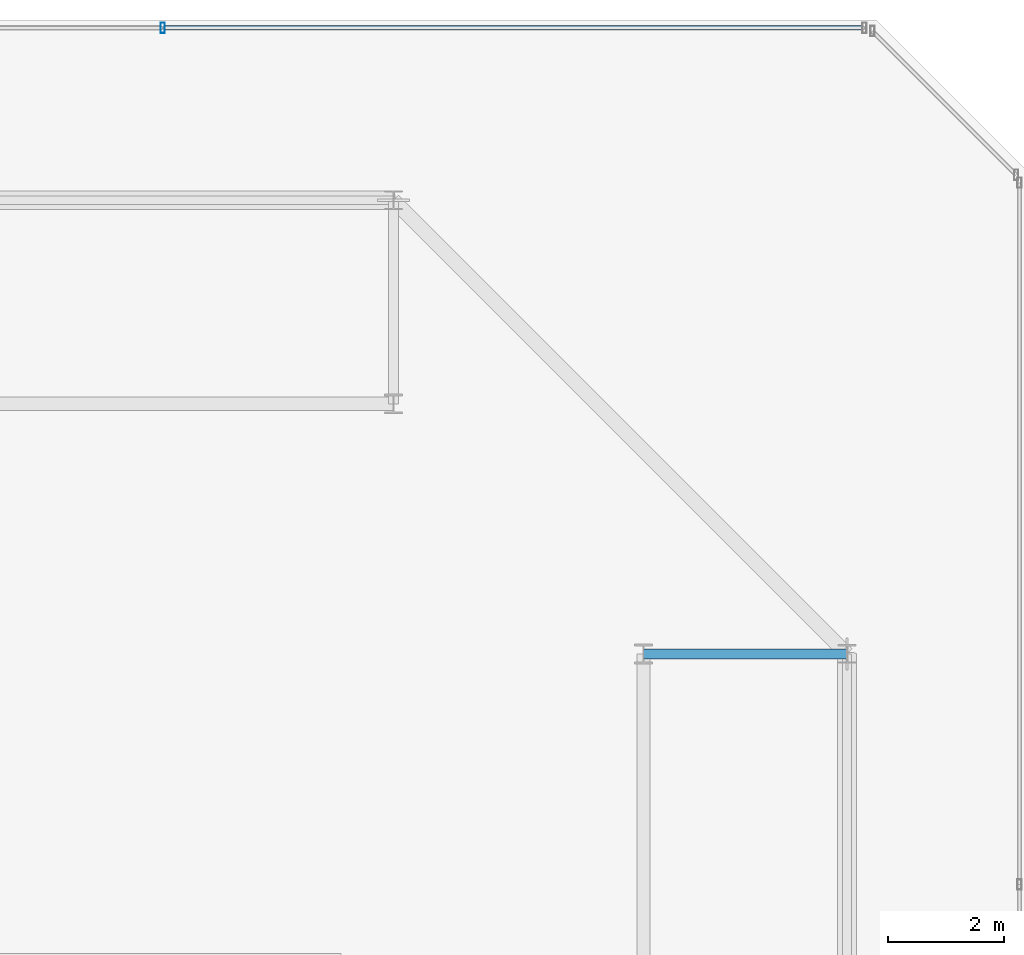
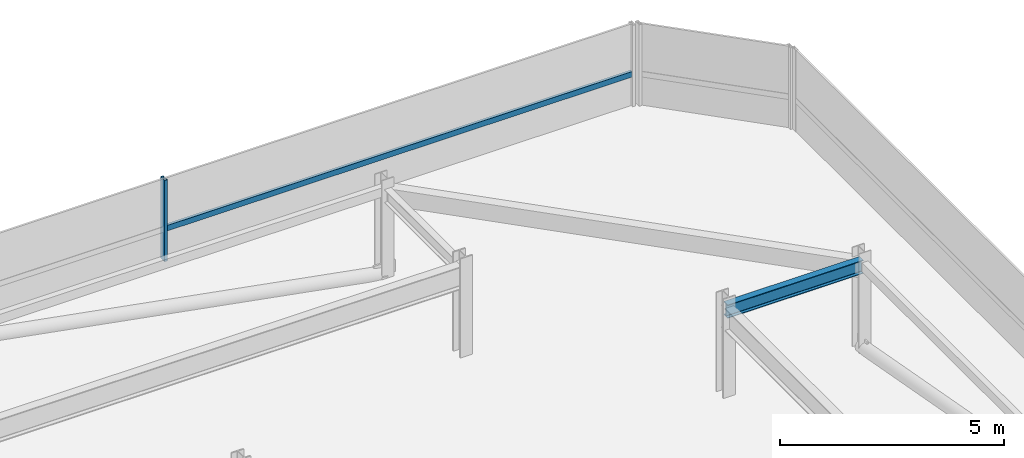
# One storey, part 35 of 42: 2 members, 1 beam, 1 element without a shape of its own.
"""IFC4 building model written with IfcOpenShell, lengths in metres."""

import ifcopenshell
import ifcopenshell.guid

model = None  # the IFC model being written
_history = None  # IfcOwnerHistory: only IFC2X3 demands one
_inside = {}  # id of a spatial element -> (the spatial element, [elements in it])
_under = {}  # id of a project, library or spatial element -> (it, [spatial elements below it])
_declared = {}  # id of a project -> (the project, [libraries it declares])
_typed = {}  # id of a type object -> (the type object, [elements of that type])
_made_of = {}  # id of a material, layer set ... -> (it, [elements and type objects made of it])


def new_model(schema):
    """Start an empty IFC model of exactly this schema.

    Asked for "IFC4X3", IfcOpenShell would pick the latest addendum, in which some entities
    have other attributes; the version numbers below select the first issue.
    IFC2X3 requires an IfcOwnerHistory on every rooted entity: one is made here for all.
    """
    global model, _history
    if schema == "IFC4X3":
        model = ifcopenshell.file(schema_version=(4, 3, 0, 0))
    else:
        model = ifcopenshell.file(schema=schema)
    _inside.clear()
    _under.clear()
    _declared.clear()
    _typed.clear()
    _made_of.clear()
    _history = None
    if model.schema == "IFC2X3":
        org = make("IfcOrganization", Name="unknown")
        user = make(
            "IfcPersonAndOrganization",
            ThePerson=make("IfcPerson", FamilyName="unknown"),
            TheOrganization=org,
        )
        app = make(
            "IfcApplication",
            ApplicationDeveloper=org,
            Version="unknown",
            ApplicationFullName="unknown",
            ApplicationIdentifier="unknown",
        )
        _history = make(
            "IfcOwnerHistory",
            OwningUser=user,
            OwningApplication=app,
            ChangeAction="ADDED",
            CreationDate=0,
        )
    return model


def make(cls, **values):
    """One entity of the class cls with the attributes given. An attribute that is None is left unset."""
    return model.create_entity(
        cls, **{name: value for name, value in values.items() if value is not None}
    )


def rooted(cls, **values):
    """An entity with a GlobalId (a new one), such as an element, a storey or a relation."""
    return make(cls, GlobalId=ifcopenshell.guid.new(), OwnerHistory=_history, **values)


def si_unit(unit_type, name, prefix=None):
    """IfcSIUnit, for example si_unit("LENGTHUNIT", "METRE", prefix="MILLI")."""
    return make("IfcSIUnit", UnitType=unit_type, Prefix=prefix, Name=name)


def assignment(units):
    """IfcUnitAssignment: the units of a project."""
    return None if units is None else make("IfcUnitAssignment", Units=units)


def point(xyz):
    """IfcCartesianPoint."""
    return None if xyz is None else make("IfcCartesianPoint", Coordinates=xyz)


def direction(xyz):
    """IfcDirection."""
    return None if xyz is None else make("IfcDirection", DirectionRatios=xyz)


def frame(location, z_axis=None, x_axis=None):
    """IfcAxis2Placement3D, a coordinate frame: its origin and axes. An axis left out is left unset."""
    return make(
        "IfcAxis2Placement3D",
        Location=point(location),
        Axis=direction(z_axis),
        RefDirection=direction(x_axis),
    )


def frame_2d(location, x_axis=None):
    """IfcAxis2Placement2D, a coordinate frame in the plane: its origin and x axis."""
    return make(
        "IfcAxis2Placement2D", Location=point(location), RefDirection=direction(x_axis)
    )


def origin():
    """The frame at (0, 0, 0) with its axes left unset."""
    return frame((0.0, 0.0, 0.0))


def origin_2d():
    """The frame at (0, 0) in the plane with its x axis left unset."""
    return frame_2d((0.0, 0.0))


def place(relative_to, where):
    """IfcLocalPlacement: puts the frame where relative to a parent placement (None: the world)."""
    return make(
        "IfcLocalPlacement", PlacementRelTo=relative_to, RelativePlacement=where
    )


def context(
    kind, dimensions, precision=None, world=None, true_north=None, identifier=None
):
    """IfcGeometricRepresentationContext, for example the 3D "Model" context."""
    return make(
        "IfcGeometricRepresentationContext",
        ContextIdentifier=identifier,
        ContextType=kind,
        CoordinateSpaceDimension=dimensions,
        Precision=precision,
        WorldCoordinateSystem=world,
        TrueNorth=true_north,
    )


def subcontext(parent, identifier, kind, view, scale=None):
    """IfcGeometricRepresentationSubContext, for example "Body" below "Model"."""
    return make(
        "IfcGeometricRepresentationSubContext",
        ContextIdentifier=identifier,
        ContextType=kind,
        ParentContext=parent,
        TargetScale=scale,
        TargetView=view,
    )


def project(units=None, contexts=None):
    """IfcProject with its units and contexts."""
    return rooted(
        "IfcProject",
        Name="project",
        RepresentationContexts=contexts,
        UnitsInContext=assignment(units),
    )


def spatial(cls, under=None, at=None, **own):
    """A site, building, storey or space (cls), placed at a placement, below another one or the project."""
    s = rooted(cls, ObjectPlacement=at, **own)
    if under is not None:
        _under.setdefault(under.id(), (under, []))[1].append(s)
    return s


def profile(cls, at=None, kind="AREA", **sizes):
    """A parametric profile (cls). Its sizes go by their IFC names, for example OverallWidth=200.0."""
    return make(cls, ProfileType=kind, Position=at, **sizes)


def hollow_rectangle(**sizes):
    """IfcRectangleHollowProfileDef."""
    return profile("IfcRectangleHollowProfileDef", **sizes)


def i_section(**sizes):
    """IfcIShapeProfileDef."""
    return profile("IfcIShapeProfileDef", **sizes)


def extrude(swept, where, along, depth):
    """IfcExtrudedAreaSolid: the profile swept, set in the frame where, extruded along a direction by depth."""
    return make(
        "IfcExtrudedAreaSolid",
        SweptArea=swept,
        Position=where,
        ExtrudedDirection=direction(along),
        Depth=depth,
    )


def shape(context_of_items, identifier, shape_type, items):
    """IfcShapeRepresentation: the items that make up one representation, for example the "Body"."""
    return make(
        "IfcShapeRepresentation",
        ContextOfItems=context_of_items,
        RepresentationIdentifier=identifier,
        RepresentationType=shape_type,
        Items=items,
    )


def material(Name=None, Category=None):
    """IfcMaterial."""
    return make("IfcMaterial", Name=Name, Category=Category)


def material_profile(
    of_material, cross_section, Name=None, Category=None, Priority=None
):
    """IfcMaterialProfile: a cross section and its material."""
    return make(
        "IfcMaterialProfile",
        Name=Name,
        Material=of_material,
        Profile=cross_section,
        Priority=Priority,
        Category=Category,
    )


def profile_set(profiles, Name=None, composite=None):
    """IfcMaterialProfileSet."""
    return make(
        "IfcMaterialProfileSet",
        Name=Name,
        MaterialProfiles=profiles,
        CompositeProfile=composite,
    )


def made_of(thing, what):
    """Note that an element or type object is made of a material, layer set ...; save() writes the relation."""
    if what is not None:
        _made_of.setdefault(what.id(), (what, []))[1].append(thing)
    return thing


def type_object(cls, material=None, **own):
    """A type object (cls), such as IfcWallType, which elements share."""
    return made_of(rooted(cls, **own), material)


def element(
    cls,
    number,
    at=None,
    inside=None,
    cuts=None,
    type_object=None,
    material=None,
    context=None,
    identifier="Body",
    shape_type=None,
    held_by="IfcProductDefinitionShape",
    body=None,
    shapes=None,
    **own,
):
    """One element of the class cls, such as IfcWall. Its Tag is "e" and its number.

    at: its placement. inside: the storey or other place that contains it. cuts: it is an
    opening in that element (IfcRelVoidsElement). A single representation is given by context,
    identifier, shape_type and body (its items); several are given by shapes. held_by: the class
    of the entity that holds the representations. save() writes the other relations.
    """
    e = rooted(cls, Tag="e%d" % number, ObjectPlacement=at, **own)
    if body is not None:
        shapes = [shape(context, identifier, shape_type, body)]
    if shapes is not None:
        e.Representation = make(held_by, Representations=shapes)
    if inside is not None:
        _inside.setdefault(inside.id(), (inside, []))[1].append(e)
    if cuts is not None:
        rooted(
            "IfcRelVoidsElement", RelatingBuildingElement=cuts, RelatedOpeningElement=e
        )
    if type_object is not None:
        _typed.setdefault(type_object.id(), (type_object, []))[1].append(e)
    return made_of(e, material)


def aggregate(whole, parts):
    """IfcRelAggregates: a whole, such as a stair, and the parts it consists of."""
    return rooted("IfcRelAggregates", RelatingObject=whole, RelatedObjects=parts)


def save(model, path):
    """Write the relations noted so far, then the file.

    IfcRelAggregates (storeys below a building ...), IfcRelContainedInSpatialStructure (elements
    in a storey), IfcRelDefinesByType, IfcRelAssociatesMaterial and IfcRelDeclares: one each for
    every whole, place, type object, material and project.
    """
    for whole, parts in _under.values():
        aggregate(whole, parts)
    for where, things in _inside.values():
        rooted(
            "IfcRelContainedInSpatialStructure",
            RelatedElements=things,
            RelatingStructure=where,
        )
    for kind, things in _typed.values():
        rooted("IfcRelDefinesByType", RelatedObjects=things, RelatingType=kind)
    for what, things in _made_of.values():
        rooted("IfcRelAssociatesMaterial", RelatedObjects=things, RelatingMaterial=what)
    for by, libraries in _declared.values():
        rooted("IfcRelDeclares", RelatingContext=by, RelatedDefinitions=libraries)
    model.write(path)


model = new_model("IFC4")

# Units and contexts
model_context = context("Model", 3, precision=1e-05, world=origin(), true_north=direction((0.0, 1.0)))
body_context = subcontext(model_context, "Body", "Model", "MODEL_VIEW")
ifc_project = project(units=[si_unit("LENGTHUNIT", "METRE"), si_unit("AREAUNIT", "SQUARE_METRE"), si_unit("VOLUMEUNIT", "CUBIC_METRE"), si_unit("PLANEANGLEUNIT", "RADIAN"), si_unit("MASSUNIT", "GRAM", prefix="KILO")], contexts=[model_context])

# Site, building, storey
site_placement = place(None, origin())
site = spatial("IfcSite", under=ifc_project, at=site_placement, CompositionType="ELEMENT")
building_placement = place(site_placement, origin())
building = spatial("IfcBuilding", under=site, at=building_placement, Name="Thornwick Lancets Civic Towers", CompositionType="ELEMENT")
storey_placement = place(building_placement, frame((0.0, 0.0, 284.10009765625)))
storey = spatial("IfcBuildingStorey", under=building, at=storey_placement, Name="C02", CompositionType="ELEMENT", Elevation=284.10009765625)

# Beam
ifc_material_1 = material(Name="Steel S355JR", Category="steel")
ifc_material_profile_1 = material_profile(ifc_material_1, i_section(OverallWidth=0.173095703125, OverallDepth=0.36328125, WebThickness=0.009033203125, FlangeThickness=0.015625, FilletRadius=0.01025390625, at=origin_2d()), Name="UKB 356x171x67")
ifc_profile_set_1 = profile_set([ifc_material_profile_1], Name="Steel S355JR")
beam_type = type_object("IfcBeamType", Name="BM_JOIST_356_67", PredefinedType="JOIST", material=ifc_profile_set_1)
beam_placement = place(storey_placement, frame((105.800048828125, 40.0, 2.25830078125), z_axis=(1.0, 0.0, 0.0), x_axis=(0.0, 1.0, 0.0)))
element("IfcBeam", 1, at=beam_placement, inside=storey, type_object=beam_type, Name="BM-RAD-C02-B03", PredefinedType="JOIST", context=body_context, shape_type="SweptSolid", body=[
    extrude(i_section(OverallWidth=0.173095703125, OverallDepth=0.36328125, WebThickness=0.009033203125, FlangeThickness=0.015625, FilletRadius=0.01025390625, at=origin_2d()), origin(), (0.0, 0.0, 1.0), 3.5),
])

# Curtain wall, members
ifc_material_2 = material(Name="Crown ring acoustic-louvre and glazing screen wall", Category="glass")
curtain_wall_type = type_object("IfcCurtainWallType", Name="CW_SYS_07", PredefinedType="NOTDEFINED", material=ifc_material_2)
curtain_wall_placement = place(storey_placement, origin())
curtain_wall = element("IfcCurtainWall", 2, at=curtain_wall_placement, inside=storey, type_object=curtain_wall_type, Name="C02 Curtain Wall CW-C02-B-E4", PredefinedType="NOTDEFINED")
ifc_material_3 = material(Name="Thermally broken bronze aluminium S355", Category="steel")
ifc_material_profile_2 = material_profile(ifc_material_3, hollow_rectangle(XDim=0.074951171875, YDim=0.179931640625, WallThickness=0.006103515625, at=origin_2d()), Name="RHS 180x75x6")
ifc_profile_set_2 = profile_set([ifc_material_profile_2], Name="Thermally broken bronze aluminium S355")
member_type_1 = type_object("IfcMemberType", Name="CW_MUL_180", PredefinedType="MULLION", material=ifc_profile_set_2)
member_1_placement = place(storey_placement, frame((97.53369140625, 50.7646484375, 0.0), z_axis=(0.0, 0.0, 1.0), x_axis=(1.0, 0.0, 0.0)))
member_1 = element("IfcMember", 3, at=member_1_placement, type_object=member_type_1, Name="CW-C02-B-E4 Mullion 1", PredefinedType="MULLION", context=body_context, shape_type="SweptSolid", body=[
    extrude(hollow_rectangle(XDim=0.074951171875, YDim=0.179931640625, WallThickness=0.006103515625, at=origin_2d()), origin(), (0.0, 0.0, 1.0), 2.219970703125),
])
ifc_material_profile_3 = material_profile(ifc_material_3, hollow_rectangle(XDim=0.074951171875, YDim=0.14990234375, WallThickness=0.0048828125, at=origin_2d()), Name="RHS 150x75x5")
ifc_profile_set_3 = profile_set([ifc_material_profile_3], Name="Thermally broken bronze aluminium S355")
member_type_2 = type_object("IfcMemberType", Name="CW_TRN_150", PredefinedType="USERDEFINED", material=ifc_profile_set_3)
member_2_placement = place(storey_placement, frame((109.581298828125, 50.7646484375, 0.849853515625), z_axis=(-1.0, 0.0, 0.0), x_axis=(0.0, -1.0, 0.0)))
member_2 = element("IfcMember", 4, at=member_2_placement, type_object=member_type_2, Name="CW-C02-B-E4 Transom 0", ObjectType="TRANSOM", PredefinedType="USERDEFINED", context=body_context, shape_type="SweptSolid", body=[
    extrude(hollow_rectangle(XDim=0.074951171875, YDim=0.14990234375, WallThickness=0.0048828125, at=origin_2d()), origin(), (0.0, 0.0, 1.0), 12.027587890625),
])
aggregate(curtain_wall, [member_1, member_2])

save(model, "model.ifc")
